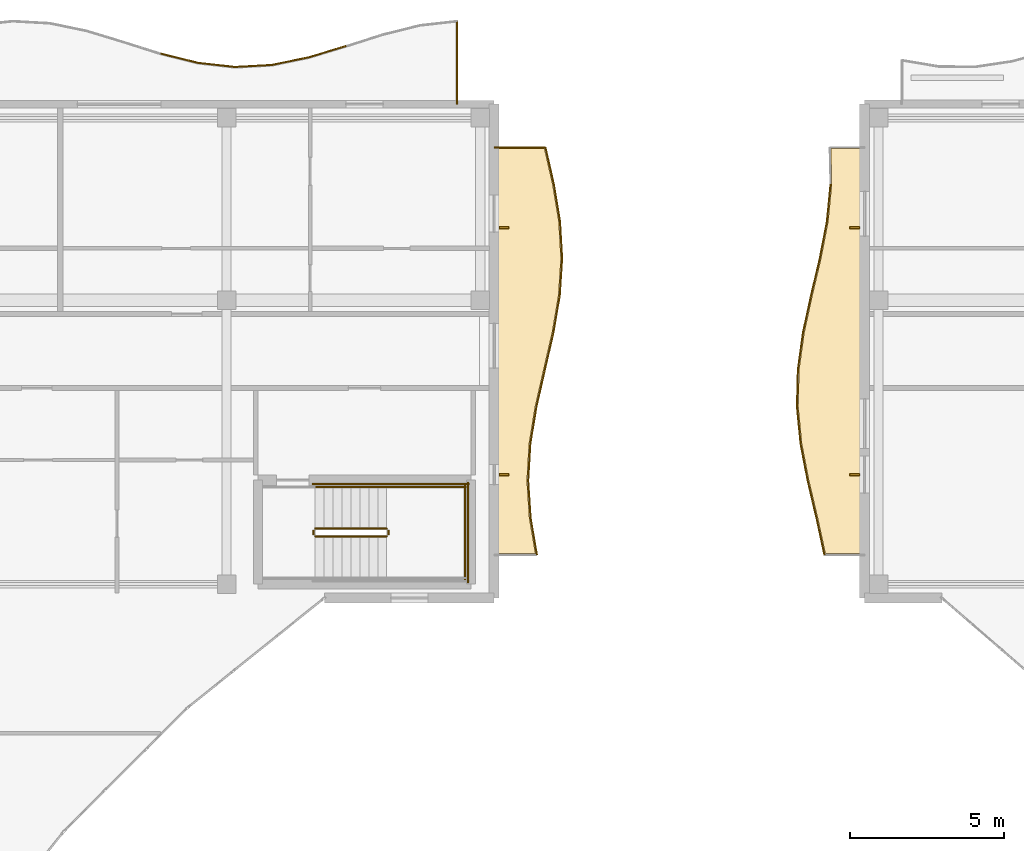
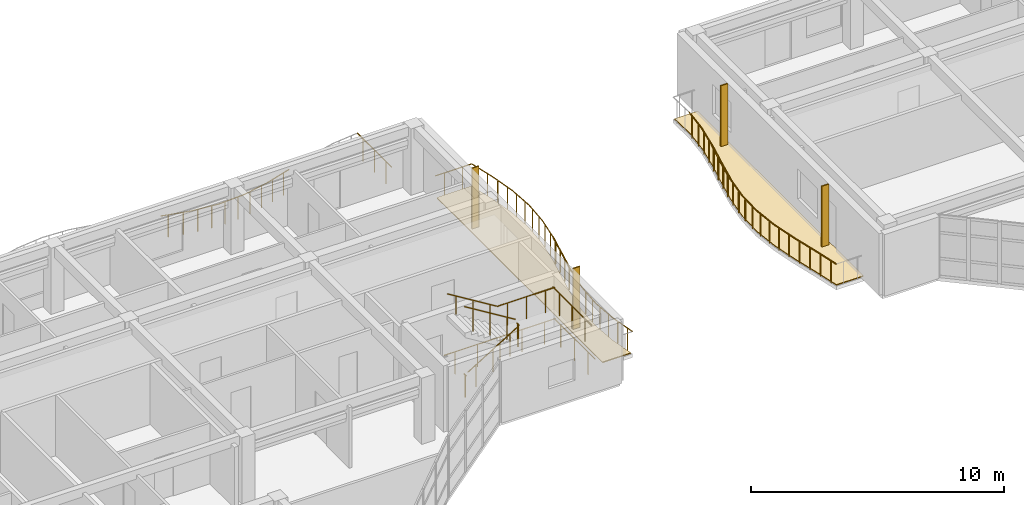
# One storey, part 65 of 76: 37 railings, 4 shading devices, 2 coverings.
"""IFC4 building model written with IfcOpenShell, lengths in metres."""

from ifc_helpers import new_model, si_unit, direction, frame, origin, origin_2d, place, context, subcontext, project, spatial, polyline, rectangle, circle, outline, extrude, material, layer, layer_set, type_object, element, save


model = new_model("IFC4")

# Units and contexts
model_context = context("Model", 3, precision=1e-05, world=origin(), true_north=direction((0.0, 1.0)))
body_context = subcontext(model_context, "Body", "Model", "MODEL_VIEW")
ifc_project = project(units=[si_unit("LENGTHUNIT", "METRE"), si_unit("AREAUNIT", "SQUARE_METRE"), si_unit("VOLUMEUNIT", "CUBIC_METRE"), si_unit("PLANEANGLEUNIT", "RADIAN"), si_unit("MASSUNIT", "GRAM", prefix="KILO")], contexts=[model_context])

# Site, building, storey
site_placement = place(None, origin())
site = spatial("IfcSite", under=ifc_project, at=site_placement, CompositionType="ELEMENT")
building_placement = place(site_placement, origin())
building = spatial("IfcBuilding", under=site, at=building_placement, Name="Keldmere Railside Commons", CompositionType="ELEMENT")
storey_placement = place(building_placement, frame((0.0, 0.0, 13.760009765625)))
storey = spatial("IfcBuildingStorey", under=building, at=storey_placement, Name="L04", CompositionType="ELEMENT", Elevation=13.760009765625)

# Railings
ifc_material_1 = material(Name="Steel F-24 (S235)", Category="steel")
railing_type_1 = type_object("IfcRailingType", Name="Balcony & Terrace Steel Balustrade 1100", PredefinedType="BALUSTRADE", material=ifc_material_1)
railing_1_placement = place(storey_placement, frame((70.699951171875, 117.635986328125, 0.0)))
element("IfcRailing", 1, at=railing_1_placement, inside=storey, type_object=railing_type_1, Name="GR-1 GRD-L04-1203", PredefinedType="BALUSTRADE", context=body_context, shape_type="SweptSolid", body=[
    extrude(circle(Radius=0.02392578125, at=origin_2d()), frame((0.0, 0.0, 1.076171875), z_axis=(0.97040903409, -0.241466988544, 0.0), x_axis=(0.241466988544, 0.97040903409, 0.0)), (0.0, 0.0, 1.0), 1.236572265625),
    extrude(circle(Radius=0.02099609375, at=origin_2d()), frame((0.300048828125, -0.07470703125, 0.0)), (0.0, 0.0, 1.0), 1.048095703125),
    extrude(circle(Radius=0.02099609375, at=origin_2d()), frame((0.89990234375, -0.223876953125, 0.0)), (0.0, 0.0, 1.0), 1.048095703125),
])
railing_2_placement = place(storey_placement, frame((71.89990234375, 117.33740234375, 0.0)))
element("IfcRailing", 2, at=railing_2_placement, inside=storey, type_object=railing_type_1, Name="GR-1 GRD-L04-1204", PredefinedType="BALUSTRADE", context=body_context, shape_type="SweptSolid", body=[
    extrude(circle(Radius=0.02392578125, at=origin_2d()), frame((0.0, 0.0, 1.076171875), z_axis=(0.99379962753, -0.111185881843, 0.0), x_axis=(0.111185881843, 0.99379962753, 0.0)), (0.0, 0.0, 1.0), 1.207763671875),
    extrude(circle(Radius=0.02099609375, at=origin_2d()), frame((0.300048828125, -0.03369140625, 0.0)), (0.0, 0.0, 1.0), 1.048095703125),
    extrude(circle(Radius=0.02099609375, at=origin_2d()), frame((0.900146484375, -0.1005859375, 0.0)), (0.0, 0.0, 1.0), 1.048095703125),
])
railing_3_placement = place(storey_placement, frame((73.10009765625, 117.203125, 0.0)))
element("IfcRailing", 3, at=railing_3_placement, inside=storey, type_object=railing_type_1, Name="GR-1 GRD-L04-1205", PredefinedType="BALUSTRADE", context=body_context, shape_type="SweptSolid", body=[
    extrude(circle(Radius=0.02392578125, at=origin_2d()), frame((0.0, 0.0, 1.076171875), z_axis=(0.998505647045, 0.05464863053, 0.0), x_axis=(-0.05464863053, 0.998505647045, 0.0)), (0.0, 0.0, 1.0), 1.20166015625),
    extrude(circle(Radius=0.02099609375, at=origin_2d()), frame((0.300048828125, 0.016357421875, 0.0)), (0.0, 0.0, 1.0), 1.048095703125),
    extrude(circle(Radius=0.02099609375, at=origin_2d()), frame((0.89990234375, 0.04931640625, 0.0)), (0.0, 0.0, 1.0), 1.048095703125),
])
railing_4_placement = place(storey_placement, frame((74.300048828125, 117.268798828125, 0.0)))
element("IfcRailing", 4, at=railing_4_placement, inside=storey, type_object=railing_type_1, Name="GR-1 GRD-L04-1206", PredefinedType="BALUSTRADE", context=body_context, shape_type="SweptSolid", body=[
    extrude(circle(Radius=0.02392578125, at=origin_2d()), frame((0.0, 0.0, 1.076171875), z_axis=(0.979256330038, 0.202625368799, 0.0), x_axis=(-0.202625368799, 0.979256330038, 0.0)), (0.0, 0.0, 1.0), 1.225341796875),
    extrude(circle(Radius=0.02099609375, at=origin_2d()), frame((0.300048828125, 0.06201171875, 0.0)), (0.0, 0.0, 1.0), 1.048095703125),
    extrude(circle(Radius=0.02099609375, at=origin_2d()), frame((0.89990234375, 0.186279296875, 0.0)), (0.0, 0.0, 1.0), 1.048095703125),
])
railing_5_placement = place(storey_placement, frame((75.5, 117.51708984375, 0.0)))
element("IfcRailing", 5, at=railing_5_placement, inside=storey, type_object=railing_type_1, Name="GR-1 GRD-L04-1207", PredefinedType="BALUSTRADE", context=body_context, shape_type="SweptSolid", body=[
    extrude(circle(Radius=0.02392578125, at=origin_2d()), frame((0.0, 0.0, 1.076171875), z_axis=(0.956883475575, 0.29047205403, 0.0), x_axis=(-0.29047205403, 0.956883475575, 0.0)), (0.0, 0.0, 1.0), 1.25390625),
    extrude(circle(Radius=0.02099609375, at=origin_2d()), frame((0.300048828125, 0.091064453125, 0.0)), (0.0, 0.0, 1.0), 1.048095703125),
    extrude(circle(Radius=0.02099609375, at=origin_2d()), frame((0.89990234375, 0.273193359375, 0.0)), (0.0, 0.0, 1.0), 1.048095703125),
])
railing_6_placement = place(storey_placement, frame((80.300048828125, 118.697021484375, 0.0)))
element("IfcRailing", 6, at=railing_6_placement, inside=storey, type_object=railing_type_1, Name="GR-1 GRD-L04-1211", PredefinedType="BALUSTRADE", context=body_context, shape_type="SweptSolid", body=[
    extrude(circle(Radius=0.02392578125, at=origin_2d()), frame((0.0, 0.0, 1.076171875), z_axis=(0.0, -1.0, 0.0), x_axis=(1.0, 0.0, 0.0)), (0.0, 0.0, 1.0), 2.697021484375),
    extrude(circle(Radius=0.02099609375, at=origin_2d()), frame((0.0, -0.449462890625, 0.0)), (0.0, 0.0, 1.0), 1.048095703125),
    extrude(circle(Radius=0.02099609375, at=origin_2d()), frame((0.0, -1.3486328125, 0.0)), (0.0, 0.0, 1.0), 1.048095703125),
    extrude(circle(Radius=0.02099609375, at=origin_2d()), frame((0.0, -2.24755859375, 0.0)), (0.0, 0.0, 1.0), 1.048095703125),
])
railing_7_placement = place(storey_placement, frame((82.88232421875, 101.39990234375, 0.0)))
element("IfcRailing", 7, at=railing_7_placement, inside=storey, type_object=railing_type_1, Name="GR-1 GRD-L04-1268", PredefinedType="BALUSTRADE", context=body_context, shape_type="SweptSolid", body=[
    extrude(circle(Radius=0.02392578125, at=origin_2d()), frame((0.0, 0.0, 1.076171875), z_axis=(-0.167844959327, 0.985813405077, 0.0), x_axis=(-0.985813405077, -0.167844959327, 0.0)), (0.0, 0.0, 1.0), 1.217529296875),
    extrude(circle(Radius=0.02099609375, at=origin_2d()), frame((-0.051025390625, 0.300048828125, 0.0)), (0.0, 0.0, 1.0), 1.048095703125),
    extrude(circle(Radius=0.02099609375, at=origin_2d()), frame((-0.1533203125, 0.900146484375, 0.0)), (0.0, 0.0, 1.0), 1.048095703125),
])
railing_8_placement = place(storey_placement, frame((82.677978515625, 102.60009765625, 0.0)))
element("IfcRailing", 8, at=railing_8_placement, inside=storey, type_object=railing_type_1, Name="GR-1 GRD-L04-1269", PredefinedType="BALUSTRADE", context=body_context, shape_type="SweptSolid", body=[
    extrude(circle(Radius=0.02392578125, at=origin_2d()), frame((0.0, 0.0, 1.076171875), z_axis=(-0.064767086508, 0.99790040811, 0.0), x_axis=(-0.99790040811, -0.064767086508, 0.0)), (0.0, 0.0, 1.0), 1.202392578125),
    extrude(circle(Radius=0.02099609375, at=origin_2d()), frame((-0.01953125, 0.300048828125, 0.0)), (0.0, 0.0, 1.0), 1.048095703125),
    extrude(circle(Radius=0.02099609375, at=origin_2d()), frame((-0.058349609375, 0.89990234375, 0.0)), (0.0, 0.0, 1.0), 1.048095703125),
])
railing_9_placement = place(storey_placement, frame((82.60009765625, 103.800048828125, 0.0)))
element("IfcRailing", 9, at=railing_9_placement, inside=storey, type_object=railing_type_1, Name="GR-1 GRD-L04-1270", PredefinedType="BALUSTRADE", context=body_context, shape_type="SweptSolid", body=[
    extrude(circle(Radius=0.02392578125, at=origin_2d()), frame((0.0, 0.0, 1.076171875), z_axis=(0.057888518877, 0.998323053617, 0.0), x_axis=(-0.998323053617, 0.057888518877, 0.0)), (0.0, 0.0, 1.0), 1.201904296875),
    extrude(circle(Radius=0.02099609375, at=origin_2d()), frame((0.017333984375, 0.300048828125, 0.0)), (0.0, 0.0, 1.0), 1.048095703125),
    extrude(circle(Radius=0.02099609375, at=origin_2d()), frame((0.05224609375, 0.89990234375, 0.0)), (0.0, 0.0, 1.0), 1.048095703125),
])
railing_10_placement = place(storey_placement, frame((82.669677734375, 105.0, 0.0)))
element("IfcRailing", 10, at=railing_10_placement, inside=storey, type_object=railing_type_1, Name="GR-1 GRD-L04-1271", PredefinedType="BALUSTRADE", context=body_context, shape_type="SweptSolid", body=[
    extrude(circle(Radius=0.02392578125, at=origin_2d()), frame((0.0, 0.0, 1.076171875), z_axis=(0.162999082621, 0.986626220544, 0.0), x_axis=(-0.986626220544, 0.162999082621, 0.0)), (0.0, 0.0, 1.0), 1.21630859375),
    extrude(circle(Radius=0.02099609375, at=origin_2d()), frame((0.049560546875, 0.300048828125, 0.0)), (0.0, 0.0, 1.0), 1.048095703125),
    extrude(circle(Radius=0.02099609375, at=origin_2d()), frame((0.148681640625, 0.89990234375, 0.0)), (0.0, 0.0, 1.0), 1.048095703125),
])
railing_11_placement = place(storey_placement, frame((82.867919921875, 106.199951171875, 0.0)))
element("IfcRailing", 11, at=railing_11_placement, inside=storey, type_object=railing_type_1, Name="GR-1 GRD-L04-1272", PredefinedType="BALUSTRADE", context=body_context, shape_type="SweptSolid", body=[
    extrude(circle(Radius=0.02392578125, at=origin_2d()), frame((0.0, 0.0, 1.076171875), z_axis=(0.222366952793, 0.974963044584, 0.0), x_axis=(-0.974963044584, 0.222366952793, 0.0)), (0.0, 0.0, 1.0), 1.230712890625),
    extrude(circle(Radius=0.02099609375, at=origin_2d()), frame((0.068359375, 0.300048828125, 0.0)), (0.0, 0.0, 1.0), 1.048095703125),
    extrude(circle(Radius=0.02099609375, at=origin_2d()), frame((0.205322265625, 0.89990234375, 0.0)), (0.0, 0.0, 1.0), 1.048095703125),
])
railing_12_placement = place(storey_placement, frame((83.1416015625, 107.39990234375, 0.0)))
element("IfcRailing", 12, at=railing_12_placement, inside=storey, type_object=railing_type_1, Name="GR-1 GRD-L04-1273", PredefinedType="BALUSTRADE", context=body_context, shape_type="SweptSolid", body=[
    extrude(circle(Radius=0.02392578125, at=origin_2d()), frame((0.0, 0.0, 1.076171875), z_axis=(0.224207941687, 0.974541327438, 0.0), x_axis=(-0.974541327438, 0.224207941687, 0.0)), (0.0, 0.0, 1.0), 1.2314453125),
    extrude(circle(Radius=0.02099609375, at=origin_2d()), frame((0.069091796875, 0.300048828125, 0.0)), (0.0, 0.0, 1.0), 1.048095703125),
    extrude(circle(Radius=0.02099609375, at=origin_2d()), frame((0.20703125, 0.900146484375, 0.0)), (0.0, 0.0, 1.0), 1.048095703125),
])
railing_13_placement = place(storey_placement, frame((83.417724609375, 108.60009765625, 0.0)))
element("IfcRailing", 13, at=railing_13_placement, inside=storey, type_object=railing_type_1, Name="GR-1 GRD-L04-1274", PredefinedType="BALUSTRADE", context=body_context, shape_type="SweptSolid", body=[
    extrude(circle(Radius=0.02392578125, at=origin_2d()), frame((0.0, 0.0, 1.076171875), z_axis=(0.167878146517, 0.985807754038, 0.0), x_axis=(-0.985807754038, 0.167878146517, 0.0)), (0.0, 0.0, 1.0), 1.21728515625),
    extrude(circle(Radius=0.02099609375, at=origin_2d()), frame((0.051025390625, 0.300048828125, 0.0)), (0.0, 0.0, 1.0), 1.048095703125),
    extrude(circle(Radius=0.02099609375, at=origin_2d()), frame((0.1533203125, 0.89990234375, 0.0)), (0.0, 0.0, 1.0), 1.048095703125),
])
railing_14_placement = place(storey_placement, frame((83.6220703125, 109.800048828125, 0.0)))
element("IfcRailing", 14, at=railing_14_placement, inside=storey, type_object=railing_type_1, Name="GR-1 GRD-L04-1275", PredefinedType="BALUSTRADE", context=body_context, shape_type="SweptSolid", body=[
    extrude(circle(Radius=0.02392578125, at=origin_2d()), frame((0.0, 0.0, 1.076171875), z_axis=(0.064767086508, 0.99790040811, 0.0), x_axis=(-0.99790040811, 0.064767086508, 0.0)), (0.0, 0.0, 1.0), 1.202392578125),
    extrude(circle(Radius=0.02099609375, at=origin_2d()), frame((0.01953125, 0.300048828125, 0.0)), (0.0, 0.0, 1.0), 1.048095703125),
    extrude(circle(Radius=0.02099609375, at=origin_2d()), frame((0.058349609375, 0.89990234375, 0.0)), (0.0, 0.0, 1.0), 1.048095703125),
])
railing_15_placement = place(storey_placement, frame((83.699951171875, 111.0, 0.0)))
element("IfcRailing", 15, at=railing_15_placement, inside=storey, type_object=railing_type_1, Name="GR-1 GRD-L04-1276", PredefinedType="BALUSTRADE", context=body_context, shape_type="SweptSolid", body=[
    extrude(circle(Radius=0.02392578125, at=origin_2d()), frame((0.0, 0.0, 1.076171875), z_axis=(-0.057888518877, 0.998323053617, 0.0), x_axis=(-0.998323053617, -0.057888518877, 0.0)), (0.0, 0.0, 1.0), 1.201904296875),
    extrude(circle(Radius=0.02099609375, at=origin_2d()), frame((-0.017333984375, 0.300048828125, 0.0)), (0.0, 0.0, 1.0), 1.048095703125),
    extrude(circle(Radius=0.02099609375, at=origin_2d()), frame((-0.05224609375, 0.89990234375, 0.0)), (0.0, 0.0, 1.0), 1.048095703125),
])
railing_16_placement = place(storey_placement, frame((83.63037109375, 112.199951171875, 0.0)))
element("IfcRailing", 16, at=railing_16_placement, inside=storey, type_object=railing_type_1, Name="GR-1 GRD-L04-1277", PredefinedType="BALUSTRADE", context=body_context, shape_type="SweptSolid", body=[
    extrude(circle(Radius=0.02392578125, at=origin_2d()), frame((0.0, 0.0, 1.076171875), z_axis=(-0.162999082621, 0.986626220544, 0.0), x_axis=(-0.986626220544, -0.162999082621, 0.0)), (0.0, 0.0, 1.0), 1.21630859375),
    extrude(circle(Radius=0.02099609375, at=origin_2d()), frame((-0.049560546875, 0.300048828125, 0.0)), (0.0, 0.0, 1.0), 1.048095703125),
    extrude(circle(Radius=0.02099609375, at=origin_2d()), frame((-0.148681640625, 0.89990234375, 0.0)), (0.0, 0.0, 1.0), 1.048095703125),
])
railing_17_placement = place(storey_placement, frame((83.43212890625, 113.39990234375, 0.0)))
element("IfcRailing", 17, at=railing_17_placement, inside=storey, type_object=railing_type_1, Name="GR-1 GRD-L04-1278", PredefinedType="BALUSTRADE", context=body_context, shape_type="SweptSolid", body=[
    extrude(circle(Radius=0.02392578125, at=origin_2d()), frame((0.0, 0.0, 1.076171875), z_axis=(-0.222323955489, 0.974972850297, 0.0), x_axis=(-0.974972850297, -0.222323955489, 0.0)), (0.0, 0.0, 1.0), 1.23095703125),
    extrude(circle(Radius=0.02099609375, at=origin_2d()), frame((-0.068359375, 0.300048828125, 0.0)), (0.0, 0.0, 1.0), 1.048095703125),
    extrude(circle(Radius=0.02099609375, at=origin_2d()), frame((-0.205322265625, 0.900146484375, 0.0)), (0.0, 0.0, 1.0), 1.048095703125),
])
railing_18_placement = place(storey_placement, frame((83.158447265625, 114.60009765625, 0.0)))
element("IfcRailing", 18, at=railing_18_placement, inside=storey, type_object=railing_type_1, Name="GR-1 GRD-L04-1279", PredefinedType="BALUSTRADE", context=body_context, shape_type="SweptSolid", body=[
    extrude(circle(Radius=0.02392578125, at=origin_2d()), frame((0.0, 0.0, 1.076171875), z_axis=(-1.0, 0.0, 0.0), x_axis=(0.0, -1.0, 0.0)), (0.0, 0.0, 1.0), 1.658447265625),
    extrude(circle(Radius=0.02099609375, at=origin_2d()), frame((-0.41455078125, 0.0, 0.0)), (0.0, 0.0, 1.0), 1.048095703125),
    extrude(circle(Radius=0.02099609375, at=origin_2d()), frame((-1.243896484375, 0.0, 0.0)), (0.0, 0.0, 1.0), 1.048095703125),
])
railing_19_placement = place(storey_placement, frame((92.197265625, 101.39990234375, 0.0)))
element("IfcRailing", 19, at=railing_19_placement, inside=storey, type_object=railing_type_1, Name="GR-1 GRD-L04-2343", PredefinedType="BALUSTRADE", context=body_context, shape_type="SweptSolid", body=[
    extrude(circle(Radius=0.02392578125, at=origin_2d()), frame((0.0, 0.0, 1.076171875), z_axis=(-0.211538122656, 0.97736974716, 0.0), x_axis=(-0.97736974716, -0.211538122656, 0.0)), (0.0, 0.0, 1.0), 1.22802734375),
    extrude(circle(Radius=0.02099609375, at=origin_2d()), frame((-0.06494140625, 0.300048828125, 0.0)), (0.0, 0.0, 1.0), 1.048095703125),
    extrude(circle(Radius=0.02099609375, at=origin_2d()), frame((-0.19482421875, 0.900146484375, 0.0)), (0.0, 0.0, 1.0), 1.048095703125),
])
railing_20_placement = place(storey_placement, frame((91.9375, 102.60009765625, 0.0)))
element("IfcRailing", 20, at=railing_20_placement, inside=storey, type_object=railing_type_1, Name="GR-1 GRD-L04-2344", PredefinedType="BALUSTRADE", context=body_context, shape_type="SweptSolid", body=[
    extrude(circle(Radius=0.02392578125, at=origin_2d()), frame((0.0, 0.0, 1.076171875), z_axis=(-0.229701506661, 0.973261125206, 0.0), x_axis=(-0.973261125206, -0.229701506661, 0.0)), (0.0, 0.0, 1.0), 1.23291015625),
    extrude(circle(Radius=0.02099609375, at=origin_2d()), frame((-0.07080078125, 0.300048828125, 0.0)), (0.0, 0.0, 1.0), 1.048095703125),
    extrude(circle(Radius=0.02099609375, at=origin_2d()), frame((-0.21240234375, 0.89990234375, 0.0)), (0.0, 0.0, 1.0), 1.048095703125),
])
railing_21_placement = place(storey_placement, frame((91.654296875, 103.800048828125, 0.0)))
element("IfcRailing", 21, at=railing_21_placement, inside=storey, type_object=railing_type_1, Name="GR-1 GRD-L04-2345", PredefinedType="BALUSTRADE", context=body_context, shape_type="SweptSolid", body=[
    extrude(circle(Radius=0.02392578125, at=origin_2d()), frame((0.0, 0.0, 1.076171875), z_axis=(-0.189003006546, 0.981976508638, 0.0), x_axis=(-0.981976508638, -0.189003006546, 0.0)), (0.0, 0.0, 1.0), 1.221923828125),
    extrude(circle(Radius=0.02099609375, at=origin_2d()), frame((-0.0576171875, 0.300048828125, 0.0)), (0.0, 0.0, 1.0), 1.048095703125),
    extrude(circle(Radius=0.02099609375, at=origin_2d()), frame((-0.17333984375, 0.89990234375, 0.0)), (0.0, 0.0, 1.0), 1.048095703125),
])
railing_22_placement = place(storey_placement, frame((91.42333984375, 105.0, 0.0)))
element("IfcRailing", 22, at=railing_22_placement, inside=storey, type_object=railing_type_1, Name="GR-1 GRD-L04-2346", PredefinedType="BALUSTRADE", context=body_context, shape_type="SweptSolid", body=[
    extrude(circle(Radius=0.02392578125, at=origin_2d()), frame((0.0, 0.0, 1.076171875), z_axis=(-0.096596010425, 0.99532367136, 0.0), x_axis=(-0.99532367136, -0.096596010425, 0.0)), (0.0, 0.0, 1.0), 1.20556640625),
    extrude(circle(Radius=0.02099609375, at=origin_2d()), frame((-0.029052734375, 0.300048828125, 0.0)), (0.0, 0.0, 1.0), 1.048095703125),
    extrude(circle(Radius=0.02099609375, at=origin_2d()), frame((-0.08740234375, 0.89990234375, 0.0)), (0.0, 0.0, 1.0), 1.048095703125),
])
railing_23_placement = place(storey_placement, frame((91.306884765625, 106.199951171875, 0.0)))
element("IfcRailing", 23, at=railing_23_placement, inside=storey, type_object=railing_type_1, Name="GR-1 GRD-L04-2347", PredefinedType="BALUSTRADE", context=body_context, shape_type="SweptSolid", body=[
    extrude(circle(Radius=0.02392578125, at=origin_2d()), frame((0.0, 0.0, 1.076171875), z_axis=(0.024204503833, 0.999707028081, 0.0), x_axis=(-0.999707028081, 0.024204503833, 0.0)), (0.0, 0.0, 1.0), 1.2001953125),
    extrude(circle(Radius=0.02099609375, at=origin_2d()), frame((0.00732421875, 0.300048828125, 0.0)), (0.0, 0.0, 1.0), 1.048095703125),
    extrude(circle(Radius=0.02099609375, at=origin_2d()), frame((0.021728515625, 0.89990234375, 0.0)), (0.0, 0.0, 1.0), 1.048095703125),
])
railing_24_placement = place(storey_placement, frame((91.3359375, 107.39990234375, 0.0)))
element("IfcRailing", 24, at=railing_24_placement, inside=storey, type_object=railing_type_1, Name="GR-1 GRD-L04-2348", PredefinedType="BALUSTRADE", context=body_context, shape_type="SweptSolid", body=[
    extrude(circle(Radius=0.02392578125, at=origin_2d()), frame((0.0, 0.0, 1.076171875), z_axis=(0.1376122976, 0.990486171306, 0.0), x_axis=(-0.990486171306, 0.1376122976, 0.0)), (0.0, 0.0, 1.0), 1.211669921875),
    extrude(circle(Radius=0.02099609375, at=origin_2d()), frame((0.041748046875, 0.300048828125, 0.0)), (0.0, 0.0, 1.0), 1.048095703125),
    extrude(circle(Radius=0.02099609375, at=origin_2d()), frame((0.125, 0.900146484375, 0.0)), (0.0, 0.0, 1.0), 1.048095703125),
])
railing_25_placement = place(storey_placement, frame((91.502685546875, 108.60009765625, 0.0)))
element("IfcRailing", 25, at=railing_25_placement, inside=storey, type_object=railing_type_1, Name="GR-1 GRD-L04-2349", PredefinedType="BALUSTRADE", context=body_context, shape_type="SweptSolid", body=[
    extrude(circle(Radius=0.02392578125, at=origin_2d()), frame((0.0, 0.0, 1.076171875), z_axis=(0.21176917433, 0.977319710639, 0.0), x_axis=(-0.977319710639, 0.21176917433, 0.0)), (0.0, 0.0, 1.0), 1.227783203125),
    extrude(circle(Radius=0.02099609375, at=origin_2d()), frame((0.06494140625, 0.300048828125, 0.0)), (0.0, 0.0, 1.0), 1.048095703125),
    extrude(circle(Radius=0.02099609375, at=origin_2d()), frame((0.195068359375, 0.89990234375, 0.0)), (0.0, 0.0, 1.0), 1.048095703125),
])
railing_26_placement = place(storey_placement, frame((91.7626953125, 109.800048828125, 0.0)))
element("IfcRailing", 26, at=railing_26_placement, inside=storey, type_object=railing_type_1, Name="GR-1 GRD-L04-2350", PredefinedType="BALUSTRADE", context=body_context, shape_type="SweptSolid", body=[
    extrude(circle(Radius=0.02392578125, at=origin_2d()), frame((0.0, 0.0, 1.076171875), z_axis=(0.229701506661, 0.973261125206, 0.0), x_axis=(-0.973261125206, 0.229701506661, 0.0)), (0.0, 0.0, 1.0), 1.23291015625),
    extrude(circle(Radius=0.02099609375, at=origin_2d()), frame((0.07080078125, 0.300048828125, 0.0)), (0.0, 0.0, 1.0), 1.048095703125),
    extrude(circle(Radius=0.02099609375, at=origin_2d()), frame((0.21240234375, 0.89990234375, 0.0)), (0.0, 0.0, 1.0), 1.048095703125),
])
railing_27_placement = place(storey_placement, frame((92.0458984375, 111.0, 0.0)))
element("IfcRailing", 27, at=railing_27_placement, inside=storey, type_object=railing_type_1, Name="GR-1 GRD-L04-2351", PredefinedType="BALUSTRADE", context=body_context, shape_type="SweptSolid", body=[
    extrude(circle(Radius=0.02392578125, at=origin_2d()), frame((0.0, 0.0, 1.076171875), z_axis=(0.188810340863, 0.982013571792, 0.0), x_axis=(-0.982013571792, 0.188810340863, 0.0)), (0.0, 0.0, 1.0), 1.221923828125),
    extrude(circle(Radius=0.02099609375, at=origin_2d()), frame((0.0576171875, 0.300048828125, 0.0)), (0.0, 0.0, 1.0), 1.048095703125),
    extrude(circle(Radius=0.02099609375, at=origin_2d()), frame((0.173095703125, 0.89990234375, 0.0)), (0.0, 0.0, 1.0), 1.048095703125),
])
railing_28_placement = place(storey_placement, frame((92.276611328125, 112.199951171875, 0.0)))
element("IfcRailing", 28, at=railing_28_placement, inside=storey, type_object=railing_type_1, Name="GR-1 GRD-L04-2352", PredefinedType="BALUSTRADE", context=body_context, shape_type="SweptSolid", body=[
    extrude(circle(Radius=0.02392578125, at=origin_2d()), frame((0.0, 0.0, 1.076171875), z_axis=(0.096596010425, 0.99532367136, 0.0), x_axis=(-0.99532367136, 0.096596010425, 0.0)), (0.0, 0.0, 1.0), 1.20556640625),
    extrude(circle(Radius=0.02099609375, at=origin_2d()), frame((0.029052734375, 0.300048828125, 0.0)), (0.0, 0.0, 1.0), 1.048095703125),
    extrude(circle(Radius=0.02099609375, at=origin_2d()), frame((0.08740234375, 0.89990234375, 0.0)), (0.0, 0.0, 1.0), 1.048095703125),
])

# Shading devices
ifc_layer_1 = layer(ifc_material_1, 0.06005859375, Name="East-West Vertical Brise-Soleil Fin 320x60")
ifc_layer_set_1 = layer_set([ifc_layer_1], Name="Steel F-24 (S235)")
shading_device_type = type_object("IfcShadingDeviceType", Name="East-West Vertical Brise-Soleil Fin 320x60", PredefinedType="USERDEFINED", material=ifc_layer_set_1)
for number, where, z_axis, x_axis, name in (
    (29, (81.818115234375, 112.0, 0.0), (0.0, 0.0, 1.0), (1.0, 0.0, 0.0), "FIN-1 Solar Fin 011"),
    (30, (81.818115234375, 104.0, 0.0), (0.0, 0.0, 1.0), (1.0, 0.0, 0.0), "FIN-1 Solar Fin 012"),
    (31, (93.181884765625, 104.0, 0.0), (0.0, 0.0, 1.0), (1.0, 0.0, 0.0), "FIN-1 Solar Fin 025"),
    (32, (93.181884765625, 112.0, 0.0), (0.0, 0.0, 1.0), (1.0, 0.0, 0.0), "FIN-1 Solar Fin 026"),
):
    element("IfcShadingDevice", number, at=place(storey_placement, frame(where, z_axis=z_axis, x_axis=x_axis)), inside=storey, type_object=shading_device_type, Name=name, ObjectType="FIN", PredefinedType="USERDEFINED", context=body_context, shape_type="SweptSolid", body=[
        extrude(rectangle(XDim=0.320068359375, YDim=0.06005859375, at=origin_2d()), origin(), (0.0, 0.0, 1.0), 2.97998046875),
    ])

# Railings
railing_type_2 = type_object("IfcRailingType", Name="Stair Well Steel Guardrail 1100", PredefinedType="BALUSTRADE", material=ifc_material_1)
railing_29_placement = place(storey_placement, frame((75.699951171875, 102.0, 0.177734375)))
element("IfcRailing", 33, at=railing_29_placement, inside=storey, type_object=railing_type_2, Name="L04 ST-C2 stair guard 1", PredefinedType="BALUSTRADE", context=body_context, shape_type="SweptSolid", body=[
    extrude(circle(Radius=0.02392578125, at=origin_2d()), frame((0.0, 0.0, 1.076171875), z_axis=(0.852538067394, 0.0, 0.522665135287), x_axis=(0.0, 1.0, 0.0)), (0.0, 0.0, 1.0), 2.721435546875),
    extrude(circle(Radius=0.02099609375, at=origin_2d()), frame((0.38671875, 0.0, 0.237060546875)), (0.0, 0.0, 1.0), 1.048095703125),
    extrude(circle(Radius=0.02099609375, at=origin_2d()), frame((1.16015625, 0.0, 0.711181640625)), (0.0, 0.0, 1.0), 1.048095703125),
    extrude(circle(Radius=0.02099609375, at=origin_2d()), frame((1.933349609375, 0.0, 1.185302734375)), (0.0, 0.0, 1.0), 1.048095703125),
])
railing_30_placement = place(storey_placement, frame((78.070068359375, 102.050048828125, 1.60009765625)))
element("IfcRailing", 34, at=railing_30_placement, inside=storey, type_object=railing_type_2, Name="L04 ST-C2 stair guard 2", PredefinedType="BALUSTRADE", context=body_context, shape_type="SweptSolid", body=[
    extrude(circle(Radius=0.02392578125, at=origin_2d()), frame((0.0, 0.0, 1.076171875), z_axis=(0.0, 1.0, 0.0), x_axis=(-1.0, 0.0, 0.0)), (0.0, 0.0, 1.0), 0.14990234375),
    extrude(circle(Radius=0.02099609375, at=origin_2d()), frame((0.0, 0.074951171875, 0.0)), (0.0, 0.0, 1.0), 1.048095703125),
])
railing_31_placement = place(storey_placement, frame((78.02001953125, 103.60009765625, 1.60009765625)))
element("IfcRailing", 35, at=railing_31_placement, inside=storey, type_object=railing_type_2, Name="L04 ST-C2 stair guard 4", PredefinedType="BALUSTRADE", context=body_context, shape_type="SweptSolid", body=[
    extrude(circle(Radius=0.02392578125, at=origin_2d()), frame((0.0, 0.0, 1.076171875), z_axis=(1.0, 0.0, 0.0), x_axis=(0.0, 1.0, 0.0)), (0.0, 0.0, 1.0), 2.580078125),
    extrude(circle(Radius=0.02099609375, at=origin_2d()), frame((0.429931640625, 0.0, 0.0)), (0.0, 0.0, 1.0), 1.048095703125),
    extrude(circle(Radius=0.02099609375, at=origin_2d()), frame((1.2900390625, 0.0, 0.0)), (0.0, 0.0, 1.0), 1.048095703125),
    extrude(circle(Radius=0.02099609375, at=origin_2d()), frame((2.150146484375, 0.0, 0.0)), (0.0, 0.0, 1.0), 1.048095703125),
])
railing_32_placement = place(storey_placement, frame((80.550048828125, 100.60009765625, 1.60009765625)))
element("IfcRailing", 36, at=railing_32_placement, inside=storey, type_object=railing_type_2, Name="L04 ST-C2 stair guard 5", PredefinedType="BALUSTRADE", context=body_context, shape_type="SweptSolid", body=[
    extrude(circle(Radius=0.02392578125, at=origin_2d()), frame((0.0, 0.0, 1.076171875), z_axis=(0.0, 1.0, 0.0), x_axis=(-1.0, 0.0, 0.0)), (0.0, 0.0, 1.0), 3.0498046875),
    extrude(circle(Radius=0.02099609375, at=origin_2d()), frame((0.0, 0.50830078125, 0.0)), (0.0, 0.0, 1.0), 1.048095703125),
    extrude(circle(Radius=0.02099609375, at=origin_2d()), frame((0.0, 1.52490234375, 0.0)), (0.0, 0.0, 1.0), 1.048095703125),
    extrude(circle(Radius=0.02099609375, at=origin_2d()), frame((0.0, 2.54150390625, 0.0)), (0.0, 0.0, 1.0), 1.048095703125),
])
railing_33_placement = place(storey_placement, frame((78.02001953125, 102.25, 1.77783203125)))
element("IfcRailing", 37, at=railing_33_placement, inside=storey, type_object=railing_type_2, Name="L04 ST-C2 stair guard 6", PredefinedType="BALUSTRADE", context=body_context, shape_type="SweptSolid", body=[
    extrude(circle(Radius=0.02392578125, at=origin_2d()), frame((0.0, 0.0, 1.076171875), z_axis=(-0.852578041948, 0.0, 0.522599925744), x_axis=(0.0, -1.0, 0.0)), (0.0, 0.0, 1.0), 2.72119140625),
    extrude(circle(Radius=0.02099609375, at=origin_2d()), frame((-0.38671875, 0.0, 0.237060546875)), (0.0, 0.0, 1.0), 1.048095703125),
    extrude(circle(Radius=0.02099609375, at=origin_2d()), frame((-1.16015625, 0.0, 0.7109375)), (0.0, 0.0, 1.0), 1.048095703125),
    extrude(circle(Radius=0.02099609375, at=origin_2d()), frame((-1.933349609375, 0.0, 1.18505859375)), (0.0, 0.0, 1.0), 1.048095703125),
])
railing_34_placement = place(storey_placement, frame((75.64990234375, 102.050048828125, 0.0)))
element("IfcRailing", 38, at=railing_34_placement, inside=storey, type_object=railing_type_2, Name="L04 ST-C2 stair guard 7", PredefinedType="BALUSTRADE", context=body_context, shape_type="SweptSolid", body=[
    extrude(circle(Radius=0.02392578125, at=origin_2d()), frame((0.0, 0.0, 1.076171875), z_axis=(0.0, 1.0, 0.0), x_axis=(-1.0, 0.0, 0.0)), (0.0, 0.0, 1.0), 0.14990234375),
    extrude(circle(Radius=0.02099609375, at=origin_2d()), frame((0.0, 0.074951171875, 0.0)), (0.0, 0.0, 1.0), 1.048095703125),
])
railing_35_placement = place(storey_placement, frame((75.60009765625, 103.699951171875, 0.0)))
element("IfcRailing", 39, at=railing_35_placement, inside=storey, type_object=railing_type_2, Name="L04 ST-C2 stair guard 11", PredefinedType="BALUSTRADE", context=body_context, shape_type="SweptSolid", body=[
    extrude(circle(Radius=0.02392578125, at=origin_2d()), frame((0.0, 0.0, 1.076171875), z_axis=(1.0, 0.0, 0.0), x_axis=(0.0, 1.0, 0.0)), (0.0, 0.0, 1.0), 5.099853515625),
    extrude(circle(Radius=0.02099609375, at=origin_2d()), frame((0.510009765625, 0.0, 0.0)), (0.0, 0.0, 1.0), 1.048095703125),
    extrude(circle(Radius=0.02099609375, at=origin_2d()), frame((1.530029296875, 0.0, 0.0)), (0.0, 0.0, 1.0), 1.048095703125),
    extrude(circle(Radius=0.02099609375, at=origin_2d()), frame((2.5498046875, 0.0, 0.0)), (0.0, 0.0, 1.0), 1.048095703125),
    extrude(circle(Radius=0.02099609375, at=origin_2d()), frame((3.56982421875, 0.0, 0.0)), (0.0, 0.0, 1.0), 1.048095703125),
    extrude(circle(Radius=0.02099609375, at=origin_2d()), frame((4.58984375, 0.0, 0.0)), (0.0, 0.0, 1.0), 1.048095703125),
])
railing_36_placement = place(storey_placement, frame((80.64990234375, 100.5, 0.0)))
element("IfcRailing", 40, at=railing_36_placement, inside=storey, type_object=railing_type_2, Name="L04 ST-C2 stair guard 12", PredefinedType="BALUSTRADE", context=body_context, shape_type="SweptSolid", body=[
    extrude(circle(Radius=0.02392578125, at=origin_2d()), frame((0.0, 0.0, 1.076171875), z_axis=(0.0, 1.0, 0.0), x_axis=(-1.0, 0.0, 0.0)), (0.0, 0.0, 1.0), 3.25),
    extrude(circle(Radius=0.02099609375, at=origin_2d()), frame((0.0, 0.541748046875, 0.0)), (0.0, 0.0, 1.0), 1.048095703125),
    extrude(circle(Radius=0.02099609375, at=origin_2d()), frame((0.0, 1.625, 0.0)), (0.0, 0.0, 1.0), 1.048095703125),
    extrude(circle(Radius=0.02099609375, at=origin_2d()), frame((0.0, 2.708251953125, 0.0)), (0.0, 0.0, 1.0), 1.048095703125),
])
railing_type_3 = type_object("IfcRailingType", Name="Wall-Mounted Tubular Steel Handrail 900", PredefinedType="HANDRAIL", material=ifc_material_1)
railing_37_placement = place(storey_placement, frame((78.02001953125, 103.60009765625, 1.77783203125)))
element("IfcRailing", 41, at=railing_37_placement, inside=storey, type_object=railing_type_3, Name="L04 ST-C2 stair handrail 2", PredefinedType="HANDRAIL", context=body_context, shape_type="SweptSolid", body=[
    extrude(circle(Radius=0.02392578125, at=origin_2d()), frame((0.0, 0.0, 0.8759765625), z_axis=(-0.852578041948, 0.0, 0.522599925744), x_axis=(0.0, -1.0, 0.0)), (0.0, 0.0, 1.0), 2.72119140625),
    extrude(circle(Radius=0.02099609375, at=origin_2d()), frame((-0.38671875, 0.0, 0.237060546875)), (0.0, 0.0, 1.0), 0.847900390625),
    extrude(circle(Radius=0.02099609375, at=origin_2d()), frame((-1.16015625, 0.0, 0.7109375)), (0.0, 0.0, 1.0), 0.847900390625),
    extrude(circle(Radius=0.02099609375, at=origin_2d()), frame((-1.933349609375, 0.0, 1.18505859375)), (0.0, 0.0, 1.0), 0.847900390625),
])

# Coverings
ifc_material_2 = material(Name="White Precast Concrete C35/45", Category="concrete")
ifc_layer_2 = layer(ifc_material_2, 0.044921875, Name="White Architectural Balcony Ribbon Cladding 45")
ifc_layer_set_2 = layer_set([ifc_layer_2], Name="White Precast Concrete C35/45")
covering_type = type_object("IfcCoveringType", Name="White Architectural Balcony Ribbon Cladding 45", PredefinedType="FLOORING", material=ifc_layer_set_2)
covering_1_placement = place(storey_placement, origin())
element("IfcCovering", 42, at=covering_1_placement, inside=storey, type_object=covering_type, Name="CLG-WB C L04 WE White Balcony Ribbon", PredefinedType="FLOORING", context=body_context, shape_type="SweptSolid", body=[
    extrude(outline(polyline([(82.638427734375, 102.59326171875), (82.637939453125, 102.597412109375), (82.560302734375, 103.79736328125), (82.560302734375, 103.80224609375), (82.629638671875, 105.002197265625), (82.630126953125, 105.006591796875), (82.828369140625, 106.20654296875), (82.828857421875, 106.208984375), (83.1025390625, 107.408935546875), (83.1025390625, 107.408935546875), (83.37841796875, 108.60791015625), (83.582275390625, 109.8046875), (83.659912109375, 111.0), (83.590576171875, 112.195556640625), (83.392822265625, 113.392333984375), (83.12646484375, 114.56005859375), (81.5400390625, 114.56005859375), (81.5400390625, 101.43994140625), (82.8349609375, 101.43994140625), (82.638427734375, 102.59326171875)])), origin(), (0.0, 0.0, 1.0), 0.044921875),
])
covering_2_placement = place(storey_placement, origin())
element("IfcCovering", 43, at=covering_2_placement, inside=storey, type_object=covering_type, Name="CLG-WB B L04 WW White Balcony Ribbon", PredefinedType="FLOORING", context=body_context, shape_type="SweptSolid", body=[
    extrude(outline(polyline([(93.4599609375, 114.56005859375), (92.405029296875, 114.56005859375), (92.43310546875, 113.40087890625), (92.432861328125, 113.39599609375), (92.31640625, 112.196044921875), (92.31591796875, 112.1923828125), (92.085205078125, 110.992431640625), (92.084716796875, 110.99072265625), (91.801513671875, 109.791259765625), (91.542236328125, 108.593017578125), (91.3759765625, 107.396728515625), (91.346923828125, 106.201416015625), (91.462890625, 105.005615234375), (91.693359375, 103.808349609375), (91.976318359375, 102.609130859375), (91.9765625, 102.6083984375), (92.2294921875, 101.43994140625), (93.4599609375, 101.43994140625), (93.4599609375, 114.56005859375)])), origin(), (0.0, 0.0, 1.0), 0.044921875),
])

save(model, "model.ifc")
